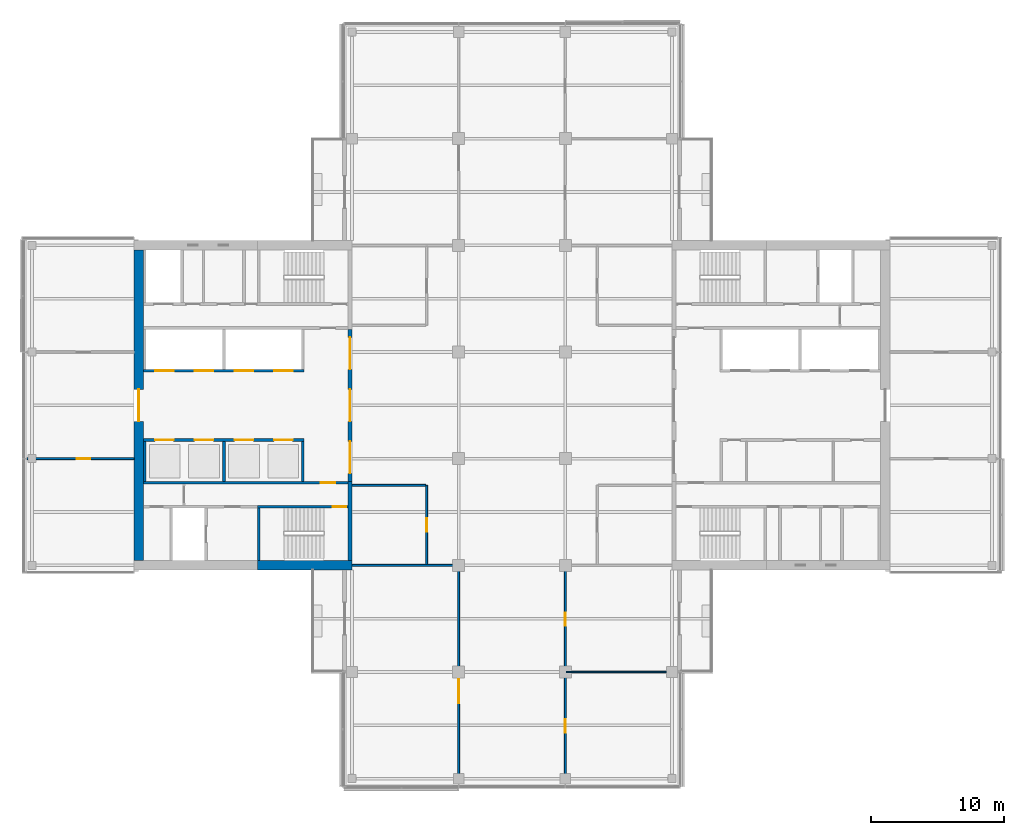
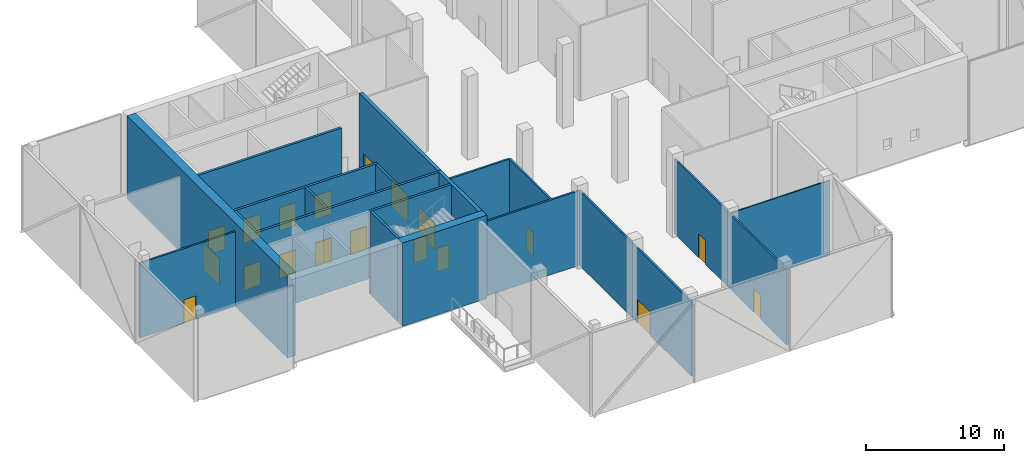
# One storey, part 10 of 20: 19 doors, 19 walls, 19 openings.
"""IFC4 building model written with IfcOpenShell, lengths in metres."""

from ifc_helpers import new_model, si_unit, direction, frame, frame_2d, origin, place, context, subcontext, project, spatial, rectangle, extrude, material, layer, layer_set, constituent, constituent_set, type_object, element, fill, save


model = new_model("IFC4")

# Units and contexts
model_context = context("Model", 3, precision=1e-05, world=origin(), true_north=direction((0.0, 1.0)))
body_context = subcontext(model_context, "Body", "Model", "MODEL_VIEW")
ifc_project = project(units=[si_unit("LENGTHUNIT", "METRE"), si_unit("AREAUNIT", "SQUARE_METRE"), si_unit("VOLUMEUNIT", "CUBIC_METRE"), si_unit("PLANEANGLEUNIT", "RADIAN"), si_unit("MASSUNIT", "GRAM", prefix="KILO")], contexts=[model_context])

# Site, building, storey
site_placement = place(None, origin())
site = spatial("IfcSite", under=ifc_project, at=site_placement, CompositionType="ELEMENT")
building_placement = place(site_placement, origin())
building = spatial("IfcBuilding", under=site, at=building_placement, Name="Crosswind Convention Tower", CompositionType="ELEMENT")
storey_placement = place(building_placement, frame((0.0, 0.0, 171.5)))
storey = spatial("IfcBuildingStorey", under=building, at=storey_placement, Name="L36", CompositionType="ELEMENT", Elevation=171.5)

# Wall, opening, door
ifc_material_1 = material(Name="Concrete C60/75", Category="concrete")
ifc_layer_1 = layer(ifc_material_1, 0.699951171875)
ifc_layer_set_1 = layer_set([ifc_layer_1], Name="Concrete C60/75")
wall_type_1 = type_object("IfcWallType", Name="Concrete core wall 700", PredefinedType="SHEAR", material=ifc_layer_set_1)
wall_1_placement = place(storey_placement, frame((97.0, 111.64990234375, 0.0), z_axis=(0.0, 0.0, 1.0), x_axis=(0.0, -1.0, 0.0)))
wall_1 = element("IfcWall", 1, at=wall_1_placement, inside=storey, type_object=wall_type_1, Name="Wall O W L36", PredefinedType="SHEAR", context=body_context, shape_type="SweptSolid", body=[
    extrude(rectangle(XDim=23.2998046875, YDim=0.699951171875, at=frame_2d((11.64990234375, 0.0))), origin(), (0.0, 0.0, 1.0), 7.39990234375),
])
opening_1_placement = place(wall_1_placement, frame((10.449951171875, 0.0, 0.0)))
opening_1 = element("IfcOpeningElement", 2, at=opening_1_placement, cuts=wall_1, Name="Opening D100", PredefinedType="OPENING", context=body_context, shape_type="SweptSolid", body=[
    extrude(rectangle(XDim=2.39990234375, YDim=2.39990234375, at=frame_2d((1.199951171875, 1.199951171875))), frame((0.0, 0.35986328125, 0.0), z_axis=(0.0, -1.0, 0.0), x_axis=(1.0, 0.0, 0.0)), (0.0, 0.0, 1.0), 0.719970703125),
])
ifc_material_2 = material(Name="Steel fire door with glazed vision panels", Category="steel")
door_type_1 = type_object("IfcDoorType", Name="Fire-rated double door 2400x2400", OperationType="DOUBLE_DOOR_SINGLE_SWING", PredefinedType="DOOR", material=ifc_material_2)
door_1_placement = place(opening_1_placement, origin())
door_1 = element("IfcDoor", 3, at=door_1_placement, inside=storey, type_object=door_type_1, Name="Lobby outer door L36", ObjectType="D100", OperationType="DOUBLE_DOOR_SINGLE_SWING", OverallHeight=2.39990234375, OverallWidth=2.39990234375, PredefinedType="DOOR", context=body_context, shape_type="SweptSolid", body=[
    extrude(rectangle(XDim=2.39990234375, YDim=2.39990234375, at=frame_2d((1.199951171875, 1.199951171875))), frame((0.0, 0.02490234375, 0.0), z_axis=(0.0, -1.0, 0.0), x_axis=(1.0, 0.0, 0.0)), (0.0, 0.0, 1.0), 0.050048828125),
])
fill(opening_1, door_1)

# Wall, openings, doors
ifc_material_3 = material(Name="Concrete C50/60", Category="concrete")
ifc_layer_2 = layer(ifc_material_3, 0.300048828125)
ifc_layer_set_2 = layer_set([ifc_layer_2], Name="Concrete C50/60")
wall_type_2 = type_object("IfcWallType", Name="Concrete inner core wall 300", PredefinedType="SHEAR", material=ifc_layer_set_2)
wall_2_placement = place(storey_placement, frame((112.85009765625, 105.699951171875, 0.0), z_axis=(0.0, 0.0, 1.0), x_axis=(0.0, -1.0, 0.0)))
wall_2 = element("IfcWall", 4, at=wall_2_placement, inside=storey, type_object=wall_type_2, Name="Wall SCR W L36", PredefinedType="SHEAR", context=body_context, shape_type="SweptSolid", body=[
    extrude(rectangle(XDim=11.39990234375, YDim=0.300048828125, at=frame_2d((5.699951171875, 0.0))), origin(), (0.0, 0.0, 1.0), 7.39990234375),
])
opening_2_placement = place(wall_2_placement, frame((0.60009765625, 0.0, 0.0)))
opening_2 = element("IfcOpeningElement", 5, at=opening_2_placement, cuts=wall_2, Name="Opening D100", PredefinedType="OPENING", context=body_context, shape_type="SweptSolid", body=[
    extrude(rectangle(XDim=2.39990234375, YDim=2.39990234375, at=frame_2d((1.199951171875, 1.199951171875))), frame((0.0, 0.159912109375, 0.0), z_axis=(0.0, -1.0, 0.0), x_axis=(1.0, 0.0, 0.0)), (0.0, 0.0, 1.0), 0.320068359375),
])
opening_3_placement = place(wall_2_placement, frame((4.5, 0.0, 0.0)))
opening_3 = element("IfcOpeningElement", 6, at=opening_3_placement, cuts=wall_2, Name="Opening D100", PredefinedType="OPENING", context=body_context, shape_type="SweptSolid", body=[
    extrude(rectangle(XDim=2.39990234375, YDim=2.39990234375, at=frame_2d((1.199951171875, 1.199951171875))), frame((0.0, 0.159912109375, 0.0), z_axis=(0.0, -1.0, 0.0), x_axis=(1.0, 0.0, 0.0)), (0.0, 0.0, 1.0), 0.320068359375),
])
opening_4_placement = place(wall_2_placement, frame((8.39990234375, 0.0, 0.0)))
opening_4 = element("IfcOpeningElement", 7, at=opening_4_placement, cuts=wall_2, Name="Opening D100", PredefinedType="OPENING", context=body_context, shape_type="SweptSolid", body=[
    extrude(rectangle(XDim=2.39990234375, YDim=2.39990234375, at=frame_2d((1.199951171875, 1.199951171875))), frame((0.0, 0.159912109375, 0.0), z_axis=(0.0, -1.0, 0.0), x_axis=(1.0, 0.0, 0.0)), (0.0, 0.0, 1.0), 0.320068359375),
])
door_2_placement = place(opening_2_placement, origin())
door_2 = element("IfcDoor", 8, at=door_2_placement, inside=storey, type_object=door_type_1, Name="Lobby door 1 L36", ObjectType="D100", OperationType="DOUBLE_DOOR_SINGLE_SWING", OverallHeight=2.39990234375, OverallWidth=2.39990234375, PredefinedType="DOOR", context=body_context, shape_type="SweptSolid", body=[
    extrude(rectangle(XDim=2.39990234375, YDim=2.39990234375, at=frame_2d((1.199951171875, 1.199951171875))), frame((0.0, 0.02490234375, 0.0), z_axis=(0.0, -1.0, 0.0), x_axis=(1.0, 0.0, 0.0)), (0.0, 0.0, 1.0), 0.050048828125),
])
fill(opening_2, door_2)
door_3_placement = place(opening_3_placement, origin())
door_3 = element("IfcDoor", 9, at=door_3_placement, inside=storey, type_object=door_type_1, Name="Lobby door 2 L36", ObjectType="D100", OperationType="DOUBLE_DOOR_SINGLE_SWING", OverallHeight=2.39990234375, OverallWidth=2.39990234375, PredefinedType="DOOR", context=body_context, shape_type="SweptSolid", body=[
    extrude(rectangle(XDim=2.39990234375, YDim=2.39990234375, at=frame_2d((1.199951171875, 1.199951171875))), frame((0.0, 0.02490234375, 0.0), z_axis=(0.0, -1.0, 0.0), x_axis=(1.0, 0.0, 0.0)), (0.0, 0.0, 1.0), 0.050048828125),
])
fill(opening_3, door_3)
door_4_placement = place(opening_4_placement, origin())
door_4 = element("IfcDoor", 10, at=door_4_placement, inside=storey, type_object=door_type_1, Name="Lobby door 3 L36", ObjectType="D100", OperationType="DOUBLE_DOOR_SINGLE_SWING", OverallHeight=2.39990234375, OverallWidth=2.39990234375, PredefinedType="DOOR", context=body_context, shape_type="SweptSolid", body=[
    extrude(rectangle(XDim=2.39990234375, YDim=2.39990234375, at=frame_2d((1.199951171875, 1.199951171875))), frame((0.0, 0.02490234375, 0.0), z_axis=(0.0, -1.0, 0.0), x_axis=(1.0, 0.0, 0.0)), (0.0, 0.0, 1.0), 0.050048828125),
])
fill(opening_4, door_4)

# Walls
wall_3_placement = place(storey_placement, frame((112.85009765625, 94.300048828125, 0.0), z_axis=(0.0, 0.0, 1.0), x_axis=(0.0, -1.0, 0.0)))
element("IfcWall", 11, at=wall_3_placement, inside=storey, type_object=wall_type_2, Name="Wall EP W L36", PredefinedType="SHEAR", context=body_context, shape_type="SweptSolid", body=[
    extrude(rectangle(XDim=5.949951171875, YDim=0.300048828125, at=frame_2d((2.97509765625, 0.0))), origin(), (0.0, 0.0, 1.0), 7.39990234375),
])
ifc_layer_3 = layer(ifc_material_3, 0.199951171875)
ifc_layer_set_3 = layer_set([ifc_layer_3], Name="Concrete C50/60")
wall_type_3 = type_object("IfcWallType", Name="Concrete shaft and stair wall 200", PredefinedType="SHEAR", material=ifc_layer_set_3)
for number, where, z_axis, x_axis, name in (
    (12, (109.300048828125, 97.300048828125, 0.0), (0.0, 0.0, 1.0), (0.0, -1.0, 0.0), "Wall RPEND W L36"),
    (13, (103.39990234375, 97.300048828125, 0.0), (0.0, 0.0, 1.0), (0.0, -1.0, 0.0), "Wall RPSEP W L36"),
    (14, (97.449951171875, 97.300048828125, 0.0), (0.0, 0.0, 1.0), (0.0, -1.0, 0.0), "Wall RPEAST W L36"),
):
    element("IfcWall", number, at=place(storey_placement, frame(where, z_axis=z_axis, x_axis=x_axis)), inside=storey, type_object=wall_type_3, Name=name, PredefinedType="SHEAR", context=body_context, shape_type="SweptSolid", body=[
        extrude(rectangle(XDim=3.0, YDim=0.199951171875, at=frame_2d((1.5, 0.0))), origin(), (0.0, 0.0, 1.0), 7.39990234375),
    ])

# Wall, openings, doors
wall_4_placement = place(storey_placement, frame((109.39990234375, 97.39990234375, 0.0), z_axis=(0.0, 0.0, 1.0), x_axis=(-1.0, 0.0, 0.0)))
wall_4 = element("IfcWall", 15, at=wall_4_placement, inside=storey, type_object=wall_type_3, Name="Wall RPFRONT W L36", PredefinedType="SHEAR", context=body_context, shape_type="SweptSolid", body=[
    extrude(rectangle(XDim=12.0498046875, YDim=0.199951171875, at=frame_2d((6.02490234375, 0.0))), origin(), (0.0, 0.0, 1.0), 7.39990234375),
])
opening_5_placement = place(wall_4_placement, frame((0.85009765625, 0.0, 0.0)))
opening_5 = element("IfcOpeningElement", 16, at=opening_5_placement, cuts=wall_4, Name="Opening LD2", PredefinedType="OPENING", context=body_context, shape_type="SweptSolid", body=[
    extrude(rectangle(XDim=1.39990234375, YDim=2.10009765625, at=frame_2d((0.699951171875, 1.050048828125))), frame((0.0, 0.10986328125, 0.0), z_axis=(0.0, -1.0, 0.0), x_axis=(1.0, 0.0, 0.0)), (0.0, 0.0, 1.0), 0.219970703125),
])
opening_6_placement = place(wall_4_placement, frame((3.800048828125, 0.0, 0.0)))
opening_6 = element("IfcOpeningElement", 17, at=opening_6_placement, cuts=wall_4, Name="Opening LD2", PredefinedType="OPENING", context=body_context, shape_type="SweptSolid", body=[
    extrude(rectangle(XDim=1.39990234375, YDim=2.10009765625, at=frame_2d((0.699951171875, 1.050048828125))), frame((0.0, 0.10986328125, 0.0), z_axis=(0.0, -1.0, 0.0), x_axis=(1.0, 0.0, 0.0)), (0.0, 0.0, 1.0), 0.219970703125),
])
opening_7_placement = place(wall_4_placement, frame((6.800048828125, 0.0, 0.0)))
opening_7 = element("IfcOpeningElement", 18, at=opening_7_placement, cuts=wall_4, Name="Opening LD2", PredefinedType="OPENING", context=body_context, shape_type="SweptSolid", body=[
    extrude(rectangle(XDim=1.39990234375, YDim=2.10009765625, at=frame_2d((0.699951171875, 1.050048828125))), frame((0.0, 0.10986328125, 0.0), z_axis=(0.0, -1.0, 0.0), x_axis=(1.0, 0.0, 0.0)), (0.0, 0.0, 1.0), 0.219970703125),
])
opening_8_placement = place(wall_4_placement, frame((9.77490234375, 0.0, 0.0)))
opening_8 = element("IfcOpeningElement", 19, at=opening_8_placement, cuts=wall_4, Name="Opening LD2", PredefinedType="OPENING", context=body_context, shape_type="SweptSolid", body=[
    extrude(rectangle(XDim=1.39990234375, YDim=2.10009765625, at=frame_2d((0.699951171875, 1.050048828125))), frame((0.0, 0.10986328125, 0.0), z_axis=(0.0, -1.0, 0.0), x_axis=(1.0, 0.0, 0.0)), (0.0, 0.0, 1.0), 0.219970703125),
])
ifc_material_4 = material(Name="Stainless steel", Category="steel")
door_type_2 = type_object("IfcDoorType", Name="Lift landing door 1400x2100", OperationType="DOUBLE_DOOR_SLIDING", PredefinedType="DOOR", material=ifc_material_4)
door_5_placement = place(opening_5_placement, origin())
door_5 = element("IfcDoor", 20, at=door_5_placement, inside=storey, type_object=door_type_2, Name="Landing door HR1 L36", ObjectType="LD2", OperationType="DOUBLE_DOOR_SLIDING", OverallHeight=2.10009765625, OverallWidth=1.39990234375, PredefinedType="DOOR", context=body_context, shape_type="SweptSolid", body=[
    extrude(rectangle(XDim=1.39990234375, YDim=2.10009765625, at=frame_2d((0.699951171875, 1.050048828125))), frame((0.0, 0.02490234375, 0.0), z_axis=(0.0, -1.0, 0.0), x_axis=(1.0, 0.0, 0.0)), (0.0, 0.0, 1.0), 0.050048828125),
])
fill(opening_5, door_5)
door_6_placement = place(opening_6_placement, origin())
door_6 = element("IfcDoor", 21, at=door_6_placement, inside=storey, type_object=door_type_2, Name="Landing door HR2 L36", ObjectType="LD2", OperationType="DOUBLE_DOOR_SLIDING", OverallHeight=2.10009765625, OverallWidth=1.39990234375, PredefinedType="DOOR", context=body_context, shape_type="SweptSolid", body=[
    extrude(rectangle(XDim=1.39990234375, YDim=2.10009765625, at=frame_2d((0.699951171875, 1.050048828125))), frame((0.0, 0.02490234375, 0.0), z_axis=(0.0, -1.0, 0.0), x_axis=(1.0, 0.0, 0.0)), (0.0, 0.0, 1.0), 0.050048828125),
])
fill(opening_6, door_6)
door_7_placement = place(opening_7_placement, origin())
door_7 = element("IfcDoor", 22, at=door_7_placement, inside=storey, type_object=door_type_2, Name="Landing door HR3 L36", ObjectType="LD2", OperationType="DOUBLE_DOOR_SLIDING", OverallHeight=2.10009765625, OverallWidth=1.39990234375, PredefinedType="DOOR", context=body_context, shape_type="SweptSolid", body=[
    extrude(rectangle(XDim=1.39990234375, YDim=2.10009765625, at=frame_2d((0.699951171875, 1.050048828125))), frame((0.0, 0.02490234375, 0.0), z_axis=(0.0, -1.0, 0.0), x_axis=(1.0, 0.0, 0.0)), (0.0, 0.0, 1.0), 0.050048828125),
])
fill(opening_7, door_7)
door_8_placement = place(opening_8_placement, origin())
door_8 = element("IfcDoor", 23, at=door_8_placement, inside=storey, type_object=door_type_2, Name="Landing door HR4 L36", ObjectType="LD2", OperationType="DOUBLE_DOOR_SLIDING", OverallHeight=2.10009765625, OverallWidth=1.39990234375, PredefinedType="DOOR", context=body_context, shape_type="SweptSolid", body=[
    extrude(rectangle(XDim=1.39990234375, YDim=2.10009765625, at=frame_2d((0.699951171875, 1.050048828125))), frame((0.0, 0.02490234375, 0.0), z_axis=(0.0, -1.0, 0.0), x_axis=(1.0, 0.0, 0.0)), (0.0, 0.0, 1.0), 0.050048828125),
])
fill(opening_8, door_8)

wall_5_placement = place(storey_placement, frame((109.39990234375, 102.60009765625, 0.0), z_axis=(0.0, 0.0, 1.0), x_axis=(-1.0, 0.0, 0.0)))
wall_5 = element("IfcWall", 24, at=wall_5_placement, inside=storey, type_object=wall_type_3, Name="Wall RMFRONT W L36", PredefinedType="SHEAR", context=body_context, shape_type="SweptSolid", body=[
    extrude(rectangle(XDim=12.0498046875, YDim=0.199951171875, at=frame_2d((6.02490234375, 0.0))), origin(), (0.0, 0.0, 1.0), 7.39990234375),
])
opening_9_placement = place(wall_5_placement, frame((0.85009765625, 0.0, 0.0)))
opening_9 = element("IfcOpeningElement", 25, at=opening_9_placement, cuts=wall_5, Name="Opening LD2", PredefinedType="OPENING", context=body_context, shape_type="SweptSolid", body=[
    extrude(rectangle(XDim=1.39990234375, YDim=2.10009765625, at=frame_2d((0.699951171875, 1.050048828125))), frame((0.0, 0.10986328125, 0.0), z_axis=(0.0, -1.0, 0.0), x_axis=(1.0, 0.0, 0.0)), (0.0, 0.0, 1.0), 0.219970703125),
])
opening_10_placement = place(wall_5_placement, frame((3.800048828125, 0.0, 0.0)))
opening_10 = element("IfcOpeningElement", 26, at=opening_10_placement, cuts=wall_5, Name="Opening LD2", PredefinedType="OPENING", context=body_context, shape_type="SweptSolid", body=[
    extrude(rectangle(XDim=1.39990234375, YDim=2.10009765625, at=frame_2d((0.699951171875, 1.050048828125))), frame((0.0, 0.10986328125, 0.0), z_axis=(0.0, -1.0, 0.0), x_axis=(1.0, 0.0, 0.0)), (0.0, 0.0, 1.0), 0.219970703125),
])
opening_11_placement = place(wall_5_placement, frame((6.800048828125, 0.0, 0.0)))
opening_11 = element("IfcOpeningElement", 27, at=opening_11_placement, cuts=wall_5, Name="Opening LD2", PredefinedType="OPENING", context=body_context, shape_type="SweptSolid", body=[
    extrude(rectangle(XDim=1.39990234375, YDim=2.10009765625, at=frame_2d((0.699951171875, 1.050048828125))), frame((0.0, 0.10986328125, 0.0), z_axis=(0.0, -1.0, 0.0), x_axis=(1.0, 0.0, 0.0)), (0.0, 0.0, 1.0), 0.219970703125),
])
opening_12_placement = place(wall_5_placement, frame((9.77490234375, 0.0, 0.0)))
opening_12 = element("IfcOpeningElement", 28, at=opening_12_placement, cuts=wall_5, Name="Opening LD2", PredefinedType="OPENING", context=body_context, shape_type="SweptSolid", body=[
    extrude(rectangle(XDim=1.39990234375, YDim=2.10009765625, at=frame_2d((0.699951171875, 1.050048828125))), frame((0.0, 0.10986328125, 0.0), z_axis=(0.0, -1.0, 0.0), x_axis=(1.0, 0.0, 0.0)), (0.0, 0.0, 1.0), 0.219970703125),
])
door_9_placement = place(opening_9_placement, origin())
door_9 = element("IfcDoor", 29, at=door_9_placement, inside=storey, type_object=door_type_2, Name="Landing door A5 L36", ObjectType="LD2", OperationType="DOUBLE_DOOR_SLIDING", OverallHeight=2.10009765625, OverallWidth=1.39990234375, PredefinedType="DOOR", context=body_context, shape_type="SweptSolid", body=[
    extrude(rectangle(XDim=1.39990234375, YDim=2.10009765625, at=frame_2d((0.699951171875, 1.050048828125))), frame((0.0, 0.02490234375, 0.0), z_axis=(0.0, -1.0, 0.0), x_axis=(1.0, 0.0, 0.0)), (0.0, 0.0, 1.0), 0.050048828125),
])
fill(opening_9, door_9)
door_10_placement = place(opening_10_placement, origin())
door_10 = element("IfcDoor", 30, at=door_10_placement, inside=storey, type_object=door_type_2, Name="Landing door A6 L36", ObjectType="LD2", OperationType="DOUBLE_DOOR_SLIDING", OverallHeight=2.10009765625, OverallWidth=1.39990234375, PredefinedType="DOOR", context=body_context, shape_type="SweptSolid", body=[
    extrude(rectangle(XDim=1.39990234375, YDim=2.10009765625, at=frame_2d((0.699951171875, 1.050048828125))), frame((0.0, 0.02490234375, 0.0), z_axis=(0.0, -1.0, 0.0), x_axis=(1.0, 0.0, 0.0)), (0.0, 0.0, 1.0), 0.050048828125),
])
fill(opening_10, door_10)
door_11_placement = place(opening_11_placement, origin())
door_11 = element("IfcDoor", 31, at=door_11_placement, inside=storey, type_object=door_type_2, Name="Landing door A7 L36", ObjectType="LD2", OperationType="DOUBLE_DOOR_SLIDING", OverallHeight=2.10009765625, OverallWidth=1.39990234375, PredefinedType="DOOR", context=body_context, shape_type="SweptSolid", body=[
    extrude(rectangle(XDim=1.39990234375, YDim=2.10009765625, at=frame_2d((0.699951171875, 1.050048828125))), frame((0.0, 0.02490234375, 0.0), z_axis=(0.0, -1.0, 0.0), x_axis=(1.0, 0.0, 0.0)), (0.0, 0.0, 1.0), 0.050048828125),
])
fill(opening_11, door_11)
door_12_placement = place(opening_12_placement, origin())
door_12 = element("IfcDoor", 32, at=door_12_placement, inside=storey, type_object=door_type_2, Name="Landing door A8 L36", ObjectType="LD2", OperationType="DOUBLE_DOOR_SLIDING", OverallHeight=2.10009765625, OverallWidth=1.39990234375, PredefinedType="DOOR", context=body_context, shape_type="SweptSolid", body=[
    extrude(rectangle(XDim=1.39990234375, YDim=2.10009765625, at=frame_2d((0.699951171875, 1.050048828125))), frame((0.0, 0.02490234375, 0.0), z_axis=(0.0, -1.0, 0.0), x_axis=(1.0, 0.0, 0.0)), (0.0, 0.0, 1.0), 0.050048828125),
])
fill(opening_12, door_12)

# Wall, opening, door
wall_6_placement = place(storey_placement, frame((112.699951171875, 94.199951171875, 0.0), z_axis=(0.0, 0.0, 1.0), x_axis=(-1.0, 0.0, 0.0)))
wall_6 = element("IfcWall", 33, at=wall_6_placement, inside=storey, type_object=wall_type_3, Name="Wall HP W L36", PredefinedType="SHEAR", context=body_context, shape_type="SweptSolid", body=[
    extrude(rectangle(XDim=15.349853515625, YDim=0.199951171875, at=frame_2d((7.6748046875, 0.0))), origin(), (0.0, 0.0, 1.0), 7.39990234375),
])
opening_13_placement = place(wall_6_placement, frame((0.949951171875, 0.0, 0.0)))
opening_13 = element("IfcOpeningElement", 34, at=opening_13_placement, cuts=wall_6, Name="Opening D104", PredefinedType="OPENING", context=body_context, shape_type="SweptSolid", body=[
    extrude(rectangle(XDim=1.10009765625, YDim=2.10009765625, at=frame_2d((0.550048828125, 1.050048828125))), frame((0.0, 0.10986328125, 0.0), z_axis=(0.0, -1.0, 0.0), x_axis=(1.0, 0.0, 0.0)), (0.0, 0.0, 1.0), 0.219970703125),
])
ifc_material_5 = material(Name="Steel fire door", Category="steel")
door_type_3 = type_object("IfcDoorType", Name="Fire-rated single door 1100x2100", OperationType="NOTDEFINED", PredefinedType="DOOR", material=ifc_material_5)
door_13_placement = place(opening_13_placement, origin())
door_13 = element("IfcDoor", 35, at=door_13_placement, inside=storey, type_object=door_type_3, Name="Corridor door L36", ObjectType="D104", OperationType="SINGLE_SWING_LEFT", OverallHeight=2.10009765625, OverallWidth=1.10009765625, PredefinedType="DOOR", context=body_context, shape_type="SweptSolid", body=[
    extrude(rectangle(XDim=1.10009765625, YDim=2.10009765625, at=frame_2d((0.550048828125, 1.050048828125))), frame((0.0, 0.02490234375, 0.0), z_axis=(0.0, -1.0, 0.0), x_axis=(1.0, 0.0, 0.0)), (0.0, 0.0, 1.0), 0.050048828125),
])
fill(opening_13, door_13)

# Wall
wall_7_placement = place(storey_placement, frame((106.0, 92.300048828125, 0.0), z_axis=(0.0, 0.0, 1.0), x_axis=(0.0, -1.0, 0.0)))
element("IfcWall", 36, at=wall_7_placement, inside=storey, type_object=wall_type_3, Name="Wall PSE W L36", PredefinedType="SHEAR", context=body_context, shape_type="SweptSolid", body=[
    extrude(rectangle(XDim=3.949951171875, YDim=0.199951171875, at=frame_2d((1.97509765625, 0.0))), origin(), (0.0, 0.0, 1.0), 7.39990234375),
])

# Wall, opening, door
wall_8_placement = place(storey_placement, frame((112.699951171875, 92.39990234375, 0.0), z_axis=(0.0, 0.0, 1.0), x_axis=(-1.0, 0.0, 0.0)))
wall_8 = element("IfcWall", 37, at=wall_8_placement, inside=storey, type_object=wall_type_3, Name="Wall PCW W L36", PredefinedType="SHEAR", context=body_context, shape_type="SweptSolid", body=[
    extrude(rectangle(XDim=6.800048828125, YDim=0.199951171875, at=frame_2d((3.39990234375, 0.0))), origin(), (0.0, 0.0, 1.0), 7.39990234375),
])
opening_14_placement = place(wall_8_placement, frame((0.14990234375, 0.0, 0.0)))
opening_14 = element("IfcOpeningElement", 38, at=opening_14_placement, cuts=wall_8, Name="Opening D103", PredefinedType="OPENING", context=body_context, shape_type="SweptSolid", body=[
    extrude(rectangle(XDim=1.0, YDim=2.10009765625, at=frame_2d((0.5, 1.050048828125))), frame((0.0, 0.10986328125, 0.0), z_axis=(0.0, -1.0, 0.0), x_axis=(1.0, 0.0, 0.0)), (0.0, 0.0, 1.0), 0.219970703125),
])
door_type_4 = type_object("IfcDoorType", Name="Fire-rated single door 1000x2100", OperationType="NOTDEFINED", PredefinedType="DOOR", material=ifc_material_5)
door_14_placement = place(opening_14_placement, origin())
door_14 = element("IfcDoor", 39, at=door_14_placement, inside=storey, type_object=door_type_4, Name="Stair ST3 door L36", ObjectType="D103", OperationType="SINGLE_SWING_LEFT", OverallHeight=2.10009765625, OverallWidth=1.0, PredefinedType="DOOR", context=body_context, shape_type="SweptSolid", body=[
    extrude(rectangle(XDim=1.0, YDim=2.10009765625, at=frame_2d((0.5, 1.050048828125))), frame((0.0, 0.02490234375, 0.0), z_axis=(0.0, -1.0, 0.0), x_axis=(1.0, 0.0, 0.0)), (0.0, 0.0, 1.0), 0.050048828125),
])
fill(opening_14, door_14)

# Wall
ifc_material_6 = material(Name="Plasterboard partition", Category="gypsum")
ifc_layer_4 = layer(ifc_material_6, 0.10009765625)
ifc_layer_set_4 = layer_set([ifc_layer_4], Name="PARTITION 100 METAL STUD")
wall_type_4 = type_object("IfcWallType", Name="PARTITION 100 METAL STUD", PredefinedType="PARTITIONING", material=ifc_layer_set_4)
wall_9_placement = place(storey_placement, frame((129.074951171875, 80.0, 0.0), z_axis=(0.0, 0.0, 1.0), x_axis=(1.0, 0.0, 0.0)))
element("IfcWall", 40, at=wall_9_placement, inside=storey, type_object=wall_type_4, Name="Partition wall WT40", PredefinedType="PARTITIONING", context=body_context, shape_type="SweptSolid", body=[
    extrude(rectangle(XDim=8.295166015625, YDim=0.10009765625, at=frame_2d((4.1474609375, 0.0))), origin(), (0.0, 0.0, 1.0), 6.639892578125),
])

# Wall, opening, door
ifc_material_7 = material(Name="Fire-board partition with mineral wool", Category="gypsum")
ifc_layer_5 = layer(ifc_material_7, 0.14990234375)
ifc_layer_set_5 = layer_set([ifc_layer_5], Name="TENANCY WALL 150 TWO-HOUR BOARD")
wall_type_5 = type_object("IfcWallType", Name="TENANCY WALL 150 TWO-HOUR BOARD", PredefinedType="PARTITIONING", material=ifc_layer_set_5)
wall_10_placement = place(storey_placement, frame((118.60009765625, 88.074951171875, 0.0), z_axis=(0.0, 0.0, 1.0), x_axis=(0.0, 1.0, 0.0)))
wall_10 = element("IfcWall", 41, at=wall_10_placement, inside=storey, type_object=wall_type_5, Name="Tenancy wall WT41", PredefinedType="PARTITIONING", context=body_context, shape_type="SweptSolid", body=[
    extrude(rectangle(XDim=5.925048828125, YDim=0.14990234375, at=frame_2d((2.96240234375, 0.0))), origin(), (0.0, 0.0, 1.0), 6.639892578125),
])
opening_15_placement = place(wall_10_placement, frame((2.449951171875, 0.0, 0.0)))
opening_15 = element("IfcOpeningElement", 42, at=opening_15_placement, cuts=wall_10, Name="Opening L36-57", PredefinedType="OPENING", context=body_context, shape_type="SweptSolid", body=[
    extrude(rectangle(XDim=1.0, YDim=2.10009765625, at=frame_2d((0.5, 1.050048828125))), frame((0.0, 0.0849609375, 0.0), z_axis=(0.0, -1.0, 0.0), x_axis=(1.0, 0.0, 0.0)), (0.0, 0.0, 1.0), 0.169921875),
])
ifc_material_8 = material(Name="Timber fire door", Category="wood")
door_type_5 = type_object("IfcDoorType", Name="TENANCY ENTRANCE DOOR 1000X2100 FD30S", OperationType="NOTDEFINED", PredefinedType="DOOR", material=ifc_material_8)
door_15_placement = place(opening_15_placement, origin())
door_15 = element("IfcDoor", 43, at=door_15_placement, inside=storey, type_object=door_type_5, Name="Door L36-57", ObjectType="D41", OperationType="SINGLE_SWING_RIGHT", OverallHeight=2.10009765625, OverallWidth=1.0, PredefinedType="DOOR", context=body_context, shape_type="SweptSolid", body=[
    extrude(rectangle(XDim=1.0, YDim=2.10009765625, at=frame_2d((0.5, 1.050048828125))), frame((0.0, 0.02490234375, 0.0), z_axis=(0.0, -1.0, 0.0), x_axis=(1.0, 0.0, 0.0)), (0.0, 0.0, 1.0), 0.050048828125),
])
fill(opening_15, door_15)

wall_11_placement = place(storey_placement, frame((121.0, 71.6298828125, 0.0), z_axis=(0.0, 0.0, 1.0), x_axis=(0.0, 1.0, 0.0)))
wall_11 = element("IfcWall", 44, at=wall_11_placement, inside=storey, type_object=wall_type_5, Name="Tenancy wall WT41", PredefinedType="PARTITIONING", context=body_context, shape_type="SweptSolid", body=[
    extrude(rectangle(XDim=16.3701171875, YDim=0.14990234375, at=frame_2d((8.18505859375, 0.0))), origin(), (0.0, 0.0, 1.0), 6.639892578125),
])
opening_16_placement = place(wall_11_placement, frame((6.02001953125, 0.0, 0.0)))
opening_16 = element("IfcOpeningElement", 45, at=opening_16_placement, cuts=wall_11, Name="Opening L36-53", PredefinedType="OPENING", context=body_context, shape_type="SweptSolid", body=[
    extrude(rectangle(XDim=1.800048828125, YDim=2.10009765625, at=frame_2d((0.89990234375, 1.050048828125))), frame((0.0, 0.0849609375, 0.0), z_axis=(0.0, -1.0, 0.0), x_axis=(1.0, 0.0, 0.0)), (0.0, 0.0, 1.0), 0.169921875),
])
door_type_6 = type_object("IfcDoorType", Name="TENANCY ENTRANCE DOUBLE DOOR 1800X2100 FD30S", OperationType="DOUBLE_DOOR_SINGLE_SWING", PredefinedType="DOOR", material=ifc_material_8)
door_16_placement = place(opening_16_placement, origin())
door_16 = element("IfcDoor", 46, at=door_16_placement, inside=storey, type_object=door_type_6, Name="Door L36-53", ObjectType="D42", OperationType="DOUBLE_DOOR_SINGLE_SWING", OverallHeight=2.10009765625, OverallWidth=1.800048828125, PredefinedType="DOOR", context=body_context, shape_type="SweptSolid", body=[
    extrude(rectangle(XDim=1.800048828125, YDim=2.10009765625, at=frame_2d((0.89990234375, 1.050048828125))), frame((0.0, 0.02490234375, 0.0), z_axis=(0.0, -1.0, 0.0), x_axis=(1.0, 0.0, 0.0)), (0.0, 0.0, 1.0), 0.050048828125),
])
fill(opening_16, door_16)

# Wall, openings, doors
wall_12_placement = place(storey_placement, frame((129.0, 71.6298828125, 0.0), z_axis=(0.0, 0.0, 1.0), x_axis=(0.0, 1.0, 0.0)))
wall_12 = element("IfcWall", 47, at=wall_12_placement, inside=storey, type_object=wall_type_5, Name="Tenancy wall WT41", PredefinedType="PARTITIONING", context=body_context, shape_type="SweptSolid", body=[
    extrude(rectangle(XDim=16.3701171875, YDim=0.14990234375, at=frame_2d((8.18505859375, 0.0))), origin(), (0.0, 0.0, 1.0), 6.639892578125),
])
opening_17_placement = place(wall_12_placement, frame((11.820068359375, 0.0, 0.0)))
opening_17 = element("IfcOpeningElement", 48, at=opening_17_placement, cuts=wall_12, Name="Opening L36-54", PredefinedType="OPENING", context=body_context, shape_type="SweptSolid", body=[
    extrude(rectangle(XDim=1.0, YDim=2.10009765625, at=frame_2d((0.5, 1.050048828125))), frame((0.0, 0.0849609375, 0.0), z_axis=(0.0, -1.0, 0.0), x_axis=(1.0, 0.0, 0.0)), (0.0, 0.0, 1.0), 0.169921875),
])
opening_18_placement = place(wall_12_placement, frame((3.820068359375, 0.0, 0.0)))
opening_18 = element("IfcOpeningElement", 49, at=opening_18_placement, cuts=wall_12, Name="Opening L36-55", PredefinedType="OPENING", context=body_context, shape_type="SweptSolid", body=[
    extrude(rectangle(XDim=1.0, YDim=2.10009765625, at=frame_2d((0.5, 1.050048828125))), frame((0.0, 0.0849609375, 0.0), z_axis=(0.0, -1.0, 0.0), x_axis=(1.0, 0.0, 0.0)), (0.0, 0.0, 1.0), 0.169921875),
])
door_17_placement = place(opening_17_placement, origin())
door_17 = element("IfcDoor", 50, at=door_17_placement, inside=storey, type_object=door_type_5, Name="Door L36-54", ObjectType="D41", OperationType="SINGLE_SWING_LEFT", OverallHeight=2.10009765625, OverallWidth=1.0, PredefinedType="DOOR", context=body_context, shape_type="SweptSolid", body=[
    extrude(rectangle(XDim=1.0, YDim=2.10009765625, at=frame_2d((0.5, 1.050048828125))), frame((0.0, 0.02490234375, 0.0), z_axis=(0.0, -1.0, 0.0), x_axis=(1.0, 0.0, 0.0)), (0.0, 0.0, 1.0), 0.050048828125),
])
fill(opening_17, door_17)
door_18_placement = place(opening_18_placement, frame((1.0, 0.0, 0.0), z_axis=(0.0, 0.0, 1.0), x_axis=(-1.0, 0.0, 0.0)))
door_18 = element("IfcDoor", 51, at=door_18_placement, inside=storey, type_object=door_type_5, Name="Door L36-55", ObjectType="D41", OperationType="SINGLE_SWING_RIGHT", OverallHeight=2.10009765625, OverallWidth=1.0, PredefinedType="DOOR", context=body_context, shape_type="SweptSolid", body=[
    extrude(rectangle(XDim=1.0, YDim=2.10009765625, at=frame_2d((0.5, 1.050048828125))), frame((0.0, 0.02490234375, 0.0), z_axis=(0.0, -1.0, 0.0), x_axis=(1.0, 0.0, 0.0)), (0.0, 0.0, 1.0), 0.050048828125),
])
fill(opening_18, door_18)

# Walls
wall_13_placement = place(storey_placement, frame((113.0, 88.0, 0.0), z_axis=(0.0, 0.0, 1.0), x_axis=(1.0, 0.0, 0.0)))
element("IfcWall", 52, at=wall_13_placement, inside=storey, type_object=wall_type_5, Name="Tenancy wall WT41", PredefinedType="PARTITIONING", context=body_context, shape_type="SweptSolid", body=[
    extrude(rectangle(XDim=7.925048828125, YDim=0.14990234375, at=frame_2d((3.96240234375, 0.0))), origin(), (0.0, 0.0, 1.0), 6.639892578125),
])
wall_14_placement = place(storey_placement, frame((113.0, 94.0, 0.0), z_axis=(0.0, 0.0, 1.0), x_axis=(1.0, 0.0, 0.0)))
element("IfcWall", 53, at=wall_14_placement, inside=storey, type_object=wall_type_5, Name="Tenancy wall WT41", PredefinedType="PARTITIONING", context=body_context, shape_type="SweptSolid", body=[
    extrude(rectangle(XDim=5.52490234375, YDim=0.14990234375, at=frame_2d((2.762451171875, 0.0))), origin(), (0.0, 0.0, 1.0), 6.639892578125),
])

# Wall, opening, door
wall_15_placement = place(storey_placement, frame((88.6298828125, 96.0, 0.0), z_axis=(0.0, 0.0, 1.0), x_axis=(1.0, 0.0, 0.0)))
wall_15 = element("IfcWall", 54, at=wall_15_placement, inside=storey, type_object=wall_type_5, Name="Tenancy wall WT41", PredefinedType="PARTITIONING", context=body_context, shape_type="SweptSolid", body=[
    extrude(rectangle(XDim=8.02001953125, YDim=0.14990234375, at=frame_2d((4.010009765625, 0.0))), origin(), (0.0, 0.0, 1.0), 6.639892578125),
])
opening_19_placement = place(wall_15_placement, frame((3.719970703125, 0.0, 0.0)))
opening_19 = element("IfcOpeningElement", 55, at=opening_19_placement, cuts=wall_15, Name="Opening L36-63", PredefinedType="OPENING", context=body_context, shape_type="SweptSolid", body=[
    extrude(rectangle(XDim=1.0, YDim=2.10009765625, at=frame_2d((0.5, 1.050048828125))), frame((0.0, 0.0849609375, 0.0), z_axis=(0.0, -1.0, 0.0), x_axis=(1.0, 0.0, 0.0)), (0.0, 0.0, 1.0), 0.169921875),
])
door_19_placement = place(opening_19_placement, frame((1.0, 0.0, 0.0), z_axis=(0.0, 0.0, 1.0), x_axis=(-1.0, 0.0, 0.0)))
door_19 = element("IfcDoor", 56, at=door_19_placement, inside=storey, type_object=door_type_5, Name="Door L36-63", ObjectType="D41", OperationType="SINGLE_SWING_RIGHT", OverallHeight=2.10009765625, OverallWidth=1.0, PredefinedType="DOOR", context=body_context, shape_type="SweptSolid", body=[
    extrude(rectangle(XDim=1.0, YDim=2.10009765625, at=frame_2d((0.5, 1.050048828125))), frame((0.0, 0.02490234375, 0.0), z_axis=(0.0, -1.0, 0.0), x_axis=(1.0, 0.0, 0.0)), (0.0, 0.0, 1.0), 0.050048828125),
])
fill(opening_19, door_19)

# Wall
ifc_constituent_1 = constituent(ifc_material_1, Name="Structure")
ifc_material_9 = material(Name="Terracotta rainscreen", Category="ceramic")
ifc_constituent_2 = constituent(ifc_material_9, Name="Facing")
ifc_constituent_set = constituent_set(constituents=[ifc_constituent_1, ifc_constituent_2], Name="Concrete C60/75, Terracotta rainscreen")
wall_type_6 = type_object("IfcWallType", Name="Terracotta rainscreen on concrete core wall 700", PredefinedType="SHEAR", material=ifc_constituent_set)
wall_16_placement = place(storey_placement, frame((113.0, 88.0, 0.0), z_axis=(0.0, 0.0, 1.0), x_axis=(-1.0, 0.0, 0.0)))
element("IfcWall", 57, at=wall_16_placement, inside=storey, type_object=wall_type_6, Name="Wall N1 W L36", PredefinedType="SHEAR", context=body_context, shape_type="SweptSolid", body=[
    extrude(rectangle(XDim=7.10009765625, YDim=0.699951171875, at=frame_2d((3.550048828125, 0.0))), origin(), (0.0, 0.0, 1.0), 7.39990234375),
])

save(model, "model.ifc")
